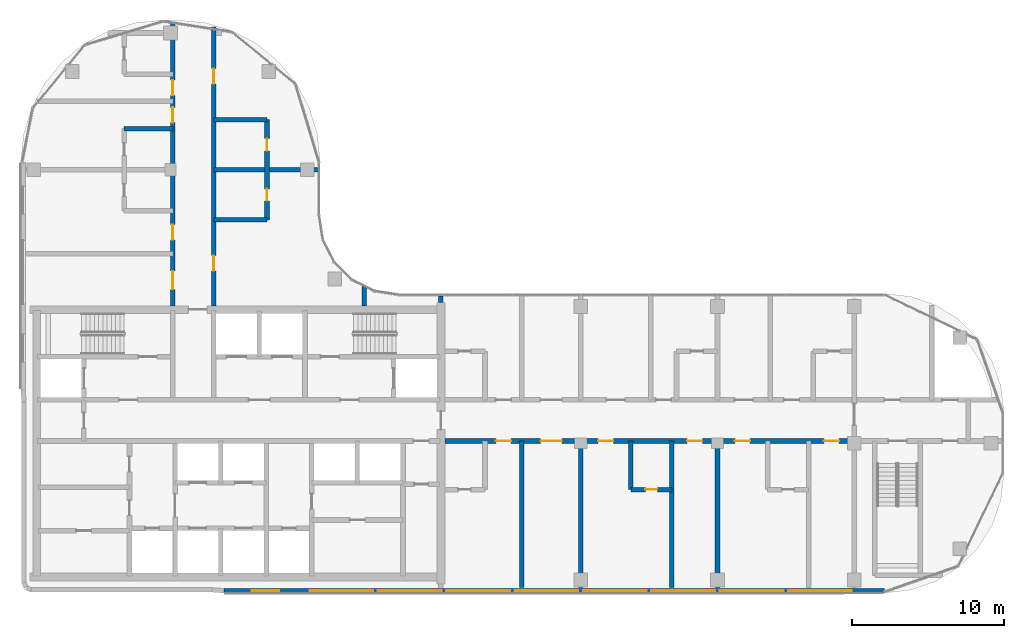
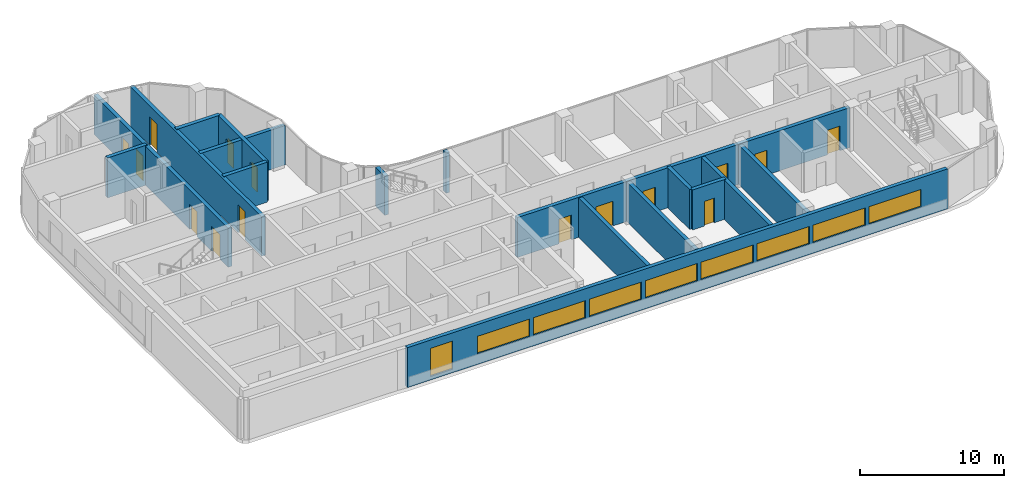
# One storey, part 14 of 20: 17 walls, 15 doors, 9 windows, 24 openings.
"""IFC4 building model written with IfcOpenShell, lengths in metres."""

from ifc_helpers import new_model, si_unit, direction, frame, frame_2d, origin, place, context, subcontext, project, spatial, rectangle, extrude, material, layer, layer_set, type_object, element, fill, save


model = new_model("IFC4")

# Units and contexts
model_context = context("Model", 3, precision=1e-05, world=origin(), true_north=direction((0.0, 1.0)))
body_context = subcontext(model_context, "Body", "Model", "MODEL_VIEW")
ifc_project = project(units=[si_unit("LENGTHUNIT", "METRE"), si_unit("AREAUNIT", "SQUARE_METRE"), si_unit("VOLUMEUNIT", "CUBIC_METRE"), si_unit("PLANEANGLEUNIT", "RADIAN"), si_unit("MASSUNIT", "GRAM", prefix="KILO")], contexts=[model_context])

# Site, building, storey
site_placement = place(None, origin())
site = spatial("IfcSite", under=ifc_project, at=site_placement, CompositionType="ELEMENT")
building_placement = place(site_placement, origin())
building = spatial("IfcBuilding", under=site, at=building_placement, Name="Ogive Portal Towers", CompositionType="ELEMENT")
storey_placement = place(building_placement, frame((0.0, 0.0, 210.60009765625)))
storey = spatial("IfcBuildingStorey", under=building, at=storey_placement, Name="L52", CompositionType="ELEMENT", Elevation=210.60009765625)

# Wall, openings, windows
ifc_material_1 = material(Name="Limestone cladding on lightweight block wall", Category="masonry")
ifc_layer_1 = layer(ifc_material_1, 0.300048828125)
ifc_layer_set_1 = layer_set([ifc_layer_1], Name="EXTERNAL WALL 300 STONE")
wall_type_1 = type_object("IfcWallType", Name="EXTERNAL WALL 300 STONE", PredefinedType="SOLIDWALL", material=ifc_layer_set_1)
wall_1_placement = place(storey_placement, frame((44.0107421875, 20.794921875, 0.0), z_axis=(0.0, 0.0, 1.0), x_axis=(1.0, 0.0, 0.0)))
wall_1 = element("IfcWall", 1, at=wall_1_placement, inside=storey, type_object=wall_type_1, Name="A:L52:f05:r0:wall", PredefinedType="SOLIDWALL", context=body_context, shape_type="SweptSolid", body=[
    extrude(rectangle(XDim=43.4755859375, YDim=0.300048828125, at=frame_2d((21.73779296875, 0.0))), origin(), (0.0, 0.0, 1.0), 3.39990234375),
])
opening_1_placement = place(wall_1_placement, frame((1.8447265625, 0.0, 0.300048828125)))
opening_1 = element("IfcOpeningElement", 2, at=opening_1_placement, cuts=wall_1, Name="Opening WN10", PredefinedType="OPENING", context=body_context, shape_type="SweptSolid", body=[
    extrude(rectangle(XDim=1.800048828125, YDim=2.39990234375, at=frame_2d((0.89990234375, 1.199951171875))), frame((0.0, 0.16015625, 0.0), z_axis=(0.0, -1.0, 0.0), x_axis=(1.0, 0.0, 0.0)), (0.0, 0.0, 1.0), 0.320068359375),
])
opening_2_placement = place(wall_1_placement, frame((5.639404296875, 0.0, 0.89990234375)))
opening_2 = element("IfcOpeningElement", 3, at=opening_2_placement, cuts=wall_1, Name="Opening WN11", PredefinedType="OPENING", context=body_context, shape_type="SweptSolid", body=[
    extrude(rectangle(XDim=4.199951171875, YDim=1.5, at=frame_2d((2.10009765625, 0.75))), frame((0.0, 0.16015625, 0.0), z_axis=(0.0, -1.0, 0.0), x_axis=(1.0, 0.0, 0.0)), (0.0, 0.0, 1.0), 0.320068359375),
])
opening_3_placement = place(wall_1_placement, frame((10.139404296875, 0.0, 0.89990234375)))
opening_3 = element("IfcOpeningElement", 4, at=opening_3_placement, cuts=wall_1, Name="Opening WN11", PredefinedType="OPENING", context=body_context, shape_type="SweptSolid", body=[
    extrude(rectangle(XDim=4.199951171875, YDim=1.5, at=frame_2d((2.10009765625, 0.75))), frame((0.0, 0.16015625, 0.0), z_axis=(0.0, -1.0, 0.0), x_axis=(1.0, 0.0, 0.0)), (0.0, 0.0, 1.0), 0.320068359375),
])
opening_4_placement = place(wall_1_placement, frame((14.639404296875, 0.0, 0.89990234375)))
opening_4 = element("IfcOpeningElement", 5, at=opening_4_placement, cuts=wall_1, Name="Opening WN11", PredefinedType="OPENING", context=body_context, shape_type="SweptSolid", body=[
    extrude(rectangle(XDim=4.199951171875, YDim=1.5, at=frame_2d((2.10009765625, 0.75))), frame((0.0, 0.16015625, 0.0), z_axis=(0.0, -1.0, 0.0), x_axis=(1.0, 0.0, 0.0)), (0.0, 0.0, 1.0), 0.320068359375),
])
opening_5_placement = place(wall_1_placement, frame((19.139404296875, 0.0, 0.89990234375)))
opening_5 = element("IfcOpeningElement", 6, at=opening_5_placement, cuts=wall_1, Name="Opening WN11", PredefinedType="OPENING", context=body_context, shape_type="SweptSolid", body=[
    extrude(rectangle(XDim=4.199951171875, YDim=1.5, at=frame_2d((2.10009765625, 0.75))), frame((0.0, 0.16015625, 0.0), z_axis=(0.0, -1.0, 0.0), x_axis=(1.0, 0.0, 0.0)), (0.0, 0.0, 1.0), 0.320068359375),
])
opening_6_placement = place(wall_1_placement, frame((23.639404296875, 0.0, 0.89990234375)))
opening_6 = element("IfcOpeningElement", 7, at=opening_6_placement, cuts=wall_1, Name="Opening WN11", PredefinedType="OPENING", context=body_context, shape_type="SweptSolid", body=[
    extrude(rectangle(XDim=4.199951171875, YDim=1.5, at=frame_2d((2.10009765625, 0.75))), frame((0.0, 0.16015625, 0.0), z_axis=(0.0, -1.0, 0.0), x_axis=(1.0, 0.0, 0.0)), (0.0, 0.0, 1.0), 0.320068359375),
])
opening_7_placement = place(wall_1_placement, frame((28.139404296875, 0.0, 0.89990234375)))
opening_7 = element("IfcOpeningElement", 8, at=opening_7_placement, cuts=wall_1, Name="Opening WN11", PredefinedType="OPENING", context=body_context, shape_type="SweptSolid", body=[
    extrude(rectangle(XDim=4.199951171875, YDim=1.5, at=frame_2d((2.10009765625, 0.75))), frame((0.0, 0.16015625, 0.0), z_axis=(0.0, -1.0, 0.0), x_axis=(1.0, 0.0, 0.0)), (0.0, 0.0, 1.0), 0.320068359375),
])
opening_8_placement = place(wall_1_placement, frame((32.639404296875, 0.0, 0.89990234375)))
opening_8 = element("IfcOpeningElement", 9, at=opening_8_placement, cuts=wall_1, Name="Opening WN11", PredefinedType="OPENING", context=body_context, shape_type="SweptSolid", body=[
    extrude(rectangle(XDim=4.199951171875, YDim=1.5, at=frame_2d((2.10009765625, 0.75))), frame((0.0, 0.16015625, 0.0), z_axis=(0.0, -1.0, 0.0), x_axis=(1.0, 0.0, 0.0)), (0.0, 0.0, 1.0), 0.320068359375),
])
opening_9_placement = place(wall_1_placement, frame((37.139404296875, 0.0, 0.89990234375)))
opening_9 = element("IfcOpeningElement", 10, at=opening_9_placement, cuts=wall_1, Name="Opening WN11", PredefinedType="OPENING", context=body_context, shape_type="SweptSolid", body=[
    extrude(rectangle(XDim=4.199951171875, YDim=1.5, at=frame_2d((2.10009765625, 0.75))), frame((0.0, 0.16015625, 0.0), z_axis=(0.0, -1.0, 0.0), x_axis=(1.0, 0.0, 0.0)), (0.0, 0.0, 1.0), 0.320068359375),
])
ifc_material_2 = material(Name="Glass, clear low-iron insulated glazing", Category="glass")
window_type_1 = type_object("IfcWindowType", Name="WINDOW RIBBON 4200x1500", PartitioningType="TRIPLE_PANEL_VERTICAL", PredefinedType="WINDOW", material=ifc_material_2)
window_1_placement = place(opening_2_placement, origin())
window_1 = element("IfcWindow", 11, at=window_1_placement, inside=storey, type_object=window_type_1, Name="A:L52:f05:r0:w1", OverallHeight=1.5, OverallWidth=4.199951171875, PartitioningType="SINGLE_PANEL", PredefinedType="WINDOW", context=body_context, shape_type="SweptSolid", body=[
    extrude(rectangle(XDim=4.199951171875, YDim=1.5, at=frame_2d((2.10009765625, 0.75))), frame((0.0, 0.030029296875, 0.0), z_axis=(0.0, -1.0, 0.0), x_axis=(1.0, 0.0, 0.0)), (0.0, 0.0, 1.0), 0.06005859375),
])
fill(opening_2, window_1)
window_2_placement = place(opening_3_placement, origin())
window_2 = element("IfcWindow", 12, at=window_2_placement, inside=storey, type_object=window_type_1, Name="A:L52:f05:r0:w2", OverallHeight=1.5, OverallWidth=4.199951171875, PartitioningType="SINGLE_PANEL", PredefinedType="WINDOW", context=body_context, shape_type="SweptSolid", body=[
    extrude(rectangle(XDim=4.199951171875, YDim=1.5, at=frame_2d((2.10009765625, 0.75))), frame((0.0, 0.030029296875, 0.0), z_axis=(0.0, -1.0, 0.0), x_axis=(1.0, 0.0, 0.0)), (0.0, 0.0, 1.0), 0.06005859375),
])
fill(opening_3, window_2)
window_3_placement = place(opening_4_placement, origin())
window_3 = element("IfcWindow", 13, at=window_3_placement, inside=storey, type_object=window_type_1, Name="A:L52:f05:r0:w3", OverallHeight=1.5, OverallWidth=4.199951171875, PartitioningType="SINGLE_PANEL", PredefinedType="WINDOW", context=body_context, shape_type="SweptSolid", body=[
    extrude(rectangle(XDim=4.199951171875, YDim=1.5, at=frame_2d((2.10009765625, 0.75))), frame((0.0, 0.030029296875, 0.0), z_axis=(0.0, -1.0, 0.0), x_axis=(1.0, 0.0, 0.0)), (0.0, 0.0, 1.0), 0.06005859375),
])
fill(opening_4, window_3)
window_4_placement = place(opening_5_placement, origin())
window_4 = element("IfcWindow", 14, at=window_4_placement, inside=storey, type_object=window_type_1, Name="A:L52:f05:r0:w4", OverallHeight=1.5, OverallWidth=4.199951171875, PartitioningType="SINGLE_PANEL", PredefinedType="WINDOW", context=body_context, shape_type="SweptSolid", body=[
    extrude(rectangle(XDim=4.199951171875, YDim=1.5, at=frame_2d((2.10009765625, 0.75))), frame((0.0, 0.030029296875, 0.0), z_axis=(0.0, -1.0, 0.0), x_axis=(1.0, 0.0, 0.0)), (0.0, 0.0, 1.0), 0.06005859375),
])
fill(opening_5, window_4)
window_5_placement = place(opening_6_placement, origin())
window_5 = element("IfcWindow", 15, at=window_5_placement, inside=storey, type_object=window_type_1, Name="A:L52:f05:r0:w5", OverallHeight=1.5, OverallWidth=4.199951171875, PartitioningType="SINGLE_PANEL", PredefinedType="WINDOW", context=body_context, shape_type="SweptSolid", body=[
    extrude(rectangle(XDim=4.199951171875, YDim=1.5, at=frame_2d((2.10009765625, 0.75))), frame((0.0, 0.030029296875, 0.0), z_axis=(0.0, -1.0, 0.0), x_axis=(1.0, 0.0, 0.0)), (0.0, 0.0, 1.0), 0.06005859375),
])
fill(opening_6, window_5)
window_6_placement = place(opening_7_placement, origin())
window_6 = element("IfcWindow", 16, at=window_6_placement, inside=storey, type_object=window_type_1, Name="A:L52:f05:r0:w6", OverallHeight=1.5, OverallWidth=4.199951171875, PartitioningType="SINGLE_PANEL", PredefinedType="WINDOW", context=body_context, shape_type="SweptSolid", body=[
    extrude(rectangle(XDim=4.199951171875, YDim=1.5, at=frame_2d((2.10009765625, 0.75))), frame((0.0, 0.030029296875, 0.0), z_axis=(0.0, -1.0, 0.0), x_axis=(1.0, 0.0, 0.0)), (0.0, 0.0, 1.0), 0.06005859375),
])
fill(opening_7, window_6)
window_7_placement = place(opening_8_placement, origin())
window_7 = element("IfcWindow", 17, at=window_7_placement, inside=storey, type_object=window_type_1, Name="A:L52:f05:r0:w7", OverallHeight=1.5, OverallWidth=4.199951171875, PartitioningType="SINGLE_PANEL", PredefinedType="WINDOW", context=body_context, shape_type="SweptSolid", body=[
    extrude(rectangle(XDim=4.199951171875, YDim=1.5, at=frame_2d((2.10009765625, 0.75))), frame((0.0, 0.030029296875, 0.0), z_axis=(0.0, -1.0, 0.0), x_axis=(1.0, 0.0, 0.0)), (0.0, 0.0, 1.0), 0.06005859375),
])
fill(opening_8, window_7)
window_8_placement = place(opening_9_placement, origin())
window_8 = element("IfcWindow", 18, at=window_8_placement, inside=storey, type_object=window_type_1, Name="A:L52:f05:r0:w8", OverallHeight=1.5, OverallWidth=4.199951171875, PartitioningType="SINGLE_PANEL", PredefinedType="WINDOW", context=body_context, shape_type="SweptSolid", body=[
    extrude(rectangle(XDim=4.199951171875, YDim=1.5, at=frame_2d((2.10009765625, 0.75))), frame((0.0, 0.030029296875, 0.0), z_axis=(0.0, -1.0, 0.0), x_axis=(1.0, 0.0, 0.0)), (0.0, 0.0, 1.0), 0.06005859375),
])
fill(opening_9, window_8)
window_type_2 = type_object("IfcWindowType", Name="WINDOW SUITE CORNER 1800x2400", PartitioningType="DOUBLE_PANEL_VERTICAL", PredefinedType="WINDOW", material=ifc_material_2)
window_9_placement = place(opening_1_placement, origin())
window_9 = element("IfcWindow", 19, at=window_9_placement, inside=storey, type_object=window_type_2, Name="A:L52:f05:r0:w0", OverallHeight=2.39990234375, OverallWidth=1.800048828125, PartitioningType="SINGLE_PANEL", PredefinedType="WINDOW", context=body_context, shape_type="SweptSolid", body=[
    extrude(rectangle(XDim=1.800048828125, YDim=2.39990234375, at=frame_2d((0.89990234375, 1.199951171875))), frame((0.0, 0.030029296875, 0.0), z_axis=(0.0, -1.0, 0.0), x_axis=(1.0, 0.0, 0.0)), (0.0, 0.0, 1.0), 0.06005859375),
])
fill(opening_1, window_9)

# Wall, openings, doors
ifc_material_3 = material(Name="Gypsum board partition on steel studs", Category="steel")
ifc_layer_2 = layer(ifc_material_3, 0.300048828125)
ifc_layer_set_2 = layer_set([ifc_layer_2], Name="WT-PART-300-EI 120")
wall_type_2 = type_object("IfcWallType", Name="WT-PART-300-EI 120", PredefinedType="PARTITIONING", material=ifc_layer_set_2)
wall_2_placement = place(storey_placement, frame((58.550048828125, 30.64990234375, 0.0), z_axis=(0.0, 0.0, 1.0), x_axis=(1.0, 0.0, 0.0)))
wall_2 = element("IfcWall", 20, at=wall_2_placement, inside=storey, type_object=wall_type_2, Name="Wall L52:w005", PredefinedType="PARTITIONING", context=body_context, shape_type="SweptSolid", body=[
    extrude(rectangle(XDim=26.780029296875, YDim=0.300048828125, at=frame_2d((13.39013671875, 0.0))), origin(), (0.0, 0.0, 1.0), 3.39990234375),
])
opening_10_placement = place(wall_2_placement, frame((3.364990234375, 0.0, 0.0)))
opening_10 = element("IfcOpeningElement", 21, at=opening_10_placement, cuts=wall_2, Name="Opening D23-031", PredefinedType="OPENING", context=body_context, shape_type="SweptSolid", body=[
    extrude(rectangle(XDim=1.0, YDim=2.10009765625, at=frame_2d((0.5, 1.050048828125))), frame((0.0, 0.16015625, 0.0), z_axis=(0.0, -1.0, 0.0), x_axis=(1.0, 0.0, 0.0)), (0.0, 0.0, 1.0), 0.320068359375),
])
opening_11_placement = place(wall_2_placement, frame((6.31494140625, 0.0, 0.0)))
opening_11 = element("IfcOpeningElement", 22, at=opening_11_placement, cuts=wall_2, Name="Opening D23-032", PredefinedType="OPENING", context=body_context, shape_type="SweptSolid", body=[
    extrude(rectangle(XDim=1.39990234375, YDim=2.10009765625, at=frame_2d((0.699951171875, 1.050048828125))), frame((0.0, 0.16015625, 0.0), z_axis=(0.0, -1.0, 0.0), x_axis=(1.0, 0.0, 0.0)), (0.0, 0.0, 1.0), 0.320068359375),
])
opening_12_placement = place(wall_2_placement, frame((10.10009765625, 0.0, 0.0)))
opening_12 = element("IfcOpeningElement", 23, at=opening_12_placement, cuts=wall_2, Name="Opening D23-037", PredefinedType="OPENING", context=body_context, shape_type="SweptSolid", body=[
    extrude(rectangle(XDim=1.0, YDim=2.10009765625, at=frame_2d((0.5, 1.050048828125))), frame((0.0, 0.16015625, 0.0), z_axis=(0.0, -1.0, 0.0), x_axis=(1.0, 0.0, 0.0)), (0.0, 0.0, 1.0), 0.320068359375),
])
opening_13_placement = place(wall_2_placement, frame((15.949951171875, 0.0, 0.0)))
opening_13 = element("IfcOpeningElement", 24, at=opening_13_placement, cuts=wall_2, Name="Opening D23-038", PredefinedType="OPENING", context=body_context, shape_type="SweptSolid", body=[
    extrude(rectangle(XDim=1.0, YDim=2.10009765625, at=frame_2d((0.5, 1.050048828125))), frame((0.0, 0.16015625, 0.0), z_axis=(0.0, -1.0, 0.0), x_axis=(1.0, 0.0, 0.0)), (0.0, 0.0, 1.0), 0.320068359375),
])
opening_14_placement = place(wall_2_placement, frame((19.10009765625, 0.0, 0.0)))
opening_14 = element("IfcOpeningElement", 25, at=opening_14_placement, cuts=wall_2, Name="Opening D23-043", PredefinedType="OPENING", context=body_context, shape_type="SweptSolid", body=[
    extrude(rectangle(XDim=1.0, YDim=2.10009765625, at=frame_2d((0.5, 1.050048828125))), frame((0.0, 0.16015625, 0.0), z_axis=(0.0, -1.0, 0.0), x_axis=(1.0, 0.0, 0.0)), (0.0, 0.0, 1.0), 0.320068359375),
])
opening_15_placement = place(wall_2_placement, frame((24.949951171875, 0.0, 0.0)))
opening_15 = element("IfcOpeningElement", 26, at=opening_15_placement, cuts=wall_2, Name="Opening D23-044", PredefinedType="OPENING", context=body_context, shape_type="SweptSolid", body=[
    extrude(rectangle(XDim=1.0, YDim=2.10009765625, at=frame_2d((0.5, 1.050048828125))), frame((0.0, 0.16015625, 0.0), z_axis=(0.0, -1.0, 0.0), x_axis=(1.0, 0.0, 0.0)), (0.0, 0.0, 1.0), 0.320068359375),
])
ifc_material_4 = material(Name="Steel fire door", Category="steel")
door_type_1 = type_object("IfcDoorType", Name="DT-ENTRY-1000x2100-FD90S", OperationType="SINGLE_SWING_LEFT", PredefinedType="DOOR", material=ifc_material_4)
door_1_placement = place(opening_10_placement, origin())
door_1 = element("IfcDoor", 27, at=door_1_placement, inside=storey, type_object=door_type_1, Name="Door D23-031", OperationType="SINGLE_SWING_LEFT", OverallHeight=2.10009765625, OverallWidth=1.0, PredefinedType="DOOR", context=body_context, shape_type="SweptSolid", body=[
    extrude(rectangle(XDim=1.0, YDim=2.10009765625, at=frame_2d((0.5, 1.050048828125))), frame((0.0, 0.02490234375, 0.0), z_axis=(0.0, -1.0, 0.0), x_axis=(1.0, 0.0, 0.0)), (0.0, 0.0, 1.0), 0.050048828125),
])
fill(opening_10, door_1)
door_2_placement = place(opening_12_placement, origin())
door_2 = element("IfcDoor", 28, at=door_2_placement, inside=storey, type_object=door_type_1, Name="Door D23-037", OperationType="SINGLE_SWING_LEFT", OverallHeight=2.10009765625, OverallWidth=1.0, PredefinedType="DOOR", context=body_context, shape_type="SweptSolid", body=[
    extrude(rectangle(XDim=1.0, YDim=2.10009765625, at=frame_2d((0.5, 1.050048828125))), frame((0.0, 0.02490234375, 0.0), z_axis=(0.0, -1.0, 0.0), x_axis=(1.0, 0.0, 0.0)), (0.0, 0.0, 1.0), 0.050048828125),
])
fill(opening_12, door_2)
door_3_placement = place(opening_13_placement, origin())
door_3 = element("IfcDoor", 29, at=door_3_placement, inside=storey, type_object=door_type_1, Name="Door D23-038", OperationType="SINGLE_SWING_RIGHT", OverallHeight=2.10009765625, OverallWidth=1.0, PredefinedType="DOOR", context=body_context, shape_type="SweptSolid", body=[
    extrude(rectangle(XDim=1.0, YDim=2.10009765625, at=frame_2d((0.5, 1.050048828125))), frame((0.0, 0.02490234375, 0.0), z_axis=(0.0, -1.0, 0.0), x_axis=(1.0, 0.0, 0.0)), (0.0, 0.0, 1.0), 0.050048828125),
])
fill(opening_13, door_3)
door_4_placement = place(opening_14_placement, origin())
door_4 = element("IfcDoor", 30, at=door_4_placement, inside=storey, type_object=door_type_1, Name="Door D23-043", OperationType="SINGLE_SWING_LEFT", OverallHeight=2.10009765625, OverallWidth=1.0, PredefinedType="DOOR", context=body_context, shape_type="SweptSolid", body=[
    extrude(rectangle(XDim=1.0, YDim=2.10009765625, at=frame_2d((0.5, 1.050048828125))), frame((0.0, 0.02490234375, 0.0), z_axis=(0.0, -1.0, 0.0), x_axis=(1.0, 0.0, 0.0)), (0.0, 0.0, 1.0), 0.050048828125),
])
fill(opening_14, door_4)
door_5_placement = place(opening_15_placement, origin())
door_5 = element("IfcDoor", 31, at=door_5_placement, inside=storey, type_object=door_type_1, Name="Door D23-044", OperationType="SINGLE_SWING_RIGHT", OverallHeight=2.10009765625, OverallWidth=1.0, PredefinedType="DOOR", context=body_context, shape_type="SweptSolid", body=[
    extrude(rectangle(XDim=1.0, YDim=2.10009765625, at=frame_2d((0.5, 1.050048828125))), frame((0.0, 0.02490234375, 0.0), z_axis=(0.0, -1.0, 0.0), x_axis=(1.0, 0.0, 0.0)), (0.0, 0.0, 1.0), 0.050048828125),
])
fill(opening_15, door_5)
door_type_2 = type_object("IfcDoorType", Name="DT-ENTRY-1400x2100-FD90S", OperationType="SINGLE_SWING_LEFT", PredefinedType="DOOR", material=ifc_material_4)
door_6_placement = place(opening_11_placement, origin())
door_6 = element("IfcDoor", 32, at=door_6_placement, inside=storey, type_object=door_type_2, Name="Door D23-032", OperationType="SINGLE_SWING_RIGHT", OverallHeight=2.10009765625, OverallWidth=1.39990234375, PredefinedType="DOOR", context=body_context, shape_type="SweptSolid", body=[
    extrude(rectangle(XDim=1.39990234375, YDim=2.10009765625, at=frame_2d((0.699951171875, 1.050048828125))), frame((0.0, 0.02490234375, 0.0), z_axis=(0.0, -1.0, 0.0), x_axis=(1.0, 0.0, 0.0)), (0.0, 0.0, 1.0), 0.050048828125),
])
fill(opening_11, door_6)

# Wall
wall_3_placement = place(storey_placement, frame((58.300048828125, 39.75, 0.0), z_axis=(0.0, 0.0, 1.0), x_axis=(0.0, 1.0, 0.0)))
element("IfcWall", 33, at=wall_3_placement, inside=storey, type_object=wall_type_2, Name="Wall L52:wc02", PredefinedType="PARTITIONING", context=body_context, shape_type="SweptSolid", body=[
    extrude(rectangle(XDim=0.43505859375, YDim=0.300048828125, at=frame_2d((0.217529296875, 0.0))), origin(), (0.0, 0.0, 1.0), 3.39990234375),
])

# Wall, opening, door
ifc_layer_3 = layer(ifc_material_3, 0.300048828125)
ifc_layer_set_3 = layer_set([ifc_layer_3], Name="WT-PART-300-EI 60")
wall_type_3 = type_object("IfcWallType", Name="WT-PART-300-EI 60", PredefinedType="PARTITIONING", material=ifc_layer_set_3)
wall_4_placement = place(storey_placement, frame((70.800048828125, 27.449951171875, 0.0), z_axis=(0.0, 0.0, 1.0), x_axis=(1.0, 0.0, 0.0)))
wall_4 = element("IfcWall", 34, at=wall_4_placement, inside=storey, type_object=wall_type_3, Name="Wall L52:w003", PredefinedType="PARTITIONING", context=body_context, shape_type="SweptSolid", body=[
    extrude(rectangle(XDim=2.699951171875, YDim=0.300048828125, at=frame_2d((1.35009765625, 0.0))), origin(), (0.0, 0.0, 1.0), 3.39990234375),
])
opening_16_placement = place(wall_4_placement, frame((0.949951171875, 0.0, 0.0)))
opening_16 = element("IfcOpeningElement", 35, at=opening_16_placement, cuts=wall_4, Name="Opening D23-036", PredefinedType="OPENING", context=body_context, shape_type="SweptSolid", body=[
    extrude(rectangle(XDim=0.800048828125, YDim=2.10009765625, at=frame_2d((0.39990234375, 1.050048828125))), frame((0.0, 0.16015625, 0.0), z_axis=(0.0, -1.0, 0.0), x_axis=(1.0, 0.0, 0.0)), (0.0, 0.0, 1.0), 0.320068359375),
])
door_type_3 = type_object("IfcDoorType", Name="DT-BATH-800x2100-FD60S", OperationType="SINGLE_SWING_LEFT", PredefinedType="DOOR", material=ifc_material_4)
door_7_placement = place(opening_16_placement, origin())
door_7 = element("IfcDoor", 36, at=door_7_placement, inside=storey, type_object=door_type_3, Name="Door D23-036", OperationType="SINGLE_SWING_LEFT", OverallHeight=2.10009765625, OverallWidth=0.800048828125, PredefinedType="DOOR", context=body_context, shape_type="SweptSolid", body=[
    extrude(rectangle(XDim=0.800048828125, YDim=2.10009765625, at=frame_2d((0.39990234375, 1.050048828125))), frame((0.0, 0.02490234375, 0.0), z_axis=(0.0, -1.0, 0.0), x_axis=(1.0, 0.0, 0.0)), (0.0, 0.0, 1.0), 0.050048828125),
])
fill(opening_16, door_7)

# Walls
wall_5_placement = place(storey_placement, frame((43.35009765625, 45.199951171875, 0.0), z_axis=(0.0, 0.0, 1.0), x_axis=(1.0, 0.0, 0.0)))
element("IfcWall", 37, at=wall_5_placement, inside=storey, type_object=wall_type_3, Name="Wall L52:w013", PredefinedType="PARTITIONING", context=body_context, shape_type="SweptSolid", body=[
    extrude(rectangle(XDim=3.5, YDim=0.300048828125, at=frame_2d((1.75, 0.0))), origin(), (0.0, 0.0, 1.0), 3.39990234375),
])
wall_6_placement = place(storey_placement, frame((43.35009765625, 48.5, 0.0), z_axis=(0.0, 0.0, 1.0), x_axis=(1.0, 0.0, 0.0)))
element("IfcWall", 38, at=wall_6_placement, inside=storey, type_object=wall_type_3, Name="Wall L52:w016", PredefinedType="PARTITIONING", context=body_context, shape_type="SweptSolid", body=[
    extrude(rectangle(XDim=6.8349609375, YDim=0.300048828125, at=frame_2d((3.41748046875, 0.0))), origin(), (0.0, 0.0, 1.0), 3.349853515625),
])
wall_7_placement = place(storey_placement, frame((37.449951171875, 51.199951171875, 0.0), z_axis=(0.0, 0.0, 1.0), x_axis=(1.0, 0.0, 0.0)))
element("IfcWall", 39, at=wall_7_placement, inside=storey, type_object=wall_type_3, Name="Wall L52:w017", PredefinedType="PARTITIONING", context=body_context, shape_type="SweptSolid", body=[
    extrude(rectangle(XDim=3.199951171875, YDim=0.300048828125, at=frame_2d((1.60009765625, 0.0))), origin(), (0.0, 0.0, 1.0), 3.39990234375),
])
wall_8_placement = place(storey_placement, frame((43.35009765625, 51.800048828125, 0.0), z_axis=(0.0, 0.0, 1.0), x_axis=(1.0, 0.0, 0.0)))
element("IfcWall", 40, at=wall_8_placement, inside=storey, type_object=wall_type_3, Name="Wall L52:w018", PredefinedType="PARTITIONING", context=body_context, shape_type="SweptSolid", body=[
    extrude(rectangle(XDim=3.5, YDim=0.300048828125, at=frame_2d((1.75, 0.0))), origin(), (0.0, 0.0, 1.0), 3.39990234375),
])

# Wall, openings, doors
wall_9_placement = place(storey_placement, frame((40.64990234375, 39.550048828125, 0.0), z_axis=(0.0, 0.0, 1.0), x_axis=(0.0, 1.0, 0.0)))
wall_9 = element("IfcWall", 41, at=wall_9_placement, inside=storey, type_object=wall_type_3, Name="Wall L52:w025", PredefinedType="PARTITIONING", context=body_context, shape_type="SweptSolid", body=[
    extrude(rectangle(XDim=18.695068359375, YDim=0.300048828125, at=frame_2d((9.34765625, 0.0))), origin(), (0.0, 0.0, 1.0), 3.349853515625),
])
opening_17_placement = place(wall_9_placement, frame((1.0849609375, 0.0, 0.0)))
opening_17 = element("IfcOpeningElement", 42, at=opening_17_placement, cuts=wall_9, Name="Opening D23-047", PredefinedType="OPENING", context=body_context, shape_type="SweptSolid", body=[
    extrude(rectangle(XDim=1.199951171875, YDim=2.10009765625, at=frame_2d((0.60009765625, 1.050048828125))), frame((0.0, 0.16015625, 0.0), z_axis=(0.0, -1.0, 0.0), x_axis=(1.0, 0.0, 0.0)), (0.0, 0.0, 1.0), 0.320068359375),
])
opening_18_placement = place(wall_9_placement, frame((4.3349609375, 0.0, 0.0)))
opening_18 = element("IfcOpeningElement", 43, at=opening_18_placement, cuts=wall_9, Name="Opening D23-049", PredefinedType="OPENING", context=body_context, shape_type="SweptSolid", body=[
    extrude(rectangle(XDim=1.0, YDim=2.10009765625, at=frame_2d((0.5, 1.050048828125))), frame((0.0, 0.16015625, 0.0), z_axis=(0.0, -1.0, 0.0), x_axis=(1.0, 0.0, 0.0)), (0.0, 0.0, 1.0), 0.320068359375),
])
opening_19_placement = place(wall_9_placement, frame((12.050048828125, 0.0, 0.0)))
opening_19 = element("IfcOpeningElement", 44, at=opening_19_placement, cuts=wall_9, Name="Opening D23-053", PredefinedType="OPENING", context=body_context, shape_type="SweptSolid", body=[
    extrude(rectangle(XDim=1.0, YDim=2.10009765625, at=frame_2d((0.5, 1.050048828125))), frame((0.0, 0.16015625, 0.0), z_axis=(0.0, -1.0, 0.0), x_axis=(1.0, 0.0, 0.0)), (0.0, 0.0, 1.0), 0.320068359375),
])
opening_20_placement = place(wall_9_placement, frame((13.85009765625, 0.0, 0.0)))
opening_20 = element("IfcOpeningElement", 45, at=opening_20_placement, cuts=wall_9, Name="Opening D23-055", PredefinedType="OPENING", context=body_context, shape_type="SweptSolid", body=[
    extrude(rectangle(XDim=1.0, YDim=2.10009765625, at=frame_2d((0.5, 1.050048828125))), frame((0.0, 0.16015625, 0.0), z_axis=(0.0, -1.0, 0.0), x_axis=(1.0, 0.0, 0.0)), (0.0, 0.0, 1.0), 0.320068359375),
])
door_type_4 = type_object("IfcDoorType", Name="DT-ENTRY-1000x2100-FD60S", OperationType="SINGLE_SWING_LEFT", PredefinedType="DOOR", material=ifc_material_4)
door_8_placement = place(opening_18_placement, origin())
door_8 = element("IfcDoor", 46, at=door_8_placement, inside=storey, type_object=door_type_4, Name="Door D23-049", OperationType="SINGLE_SWING_LEFT", OverallHeight=2.10009765625, OverallWidth=1.0, PredefinedType="DOOR", context=body_context, shape_type="SweptSolid", body=[
    extrude(rectangle(XDim=1.0, YDim=2.10009765625, at=frame_2d((0.5, 1.050048828125))), frame((0.0, 0.02490234375, 0.0), z_axis=(0.0, -1.0, 0.0), x_axis=(1.0, 0.0, 0.0)), (0.0, 0.0, 1.0), 0.050048828125),
])
fill(opening_18, door_8)
door_9_placement = place(opening_19_placement, origin())
door_9 = element("IfcDoor", 47, at=door_9_placement, inside=storey, type_object=door_type_4, Name="Door D23-053", OperationType="SINGLE_SWING_LEFT", OverallHeight=2.10009765625, OverallWidth=1.0, PredefinedType="DOOR", context=body_context, shape_type="SweptSolid", body=[
    extrude(rectangle(XDim=1.0, YDim=2.10009765625, at=frame_2d((0.5, 1.050048828125))), frame((0.0, 0.02490234375, 0.0), z_axis=(0.0, -1.0, 0.0), x_axis=(1.0, 0.0, 0.0)), (0.0, 0.0, 1.0), 0.050048828125),
])
fill(opening_19, door_9)
door_10_placement = place(opening_20_placement, origin())
door_10 = element("IfcDoor", 48, at=door_10_placement, inside=storey, type_object=door_type_4, Name="Door D23-055", OperationType="SINGLE_SWING_LEFT", OverallHeight=2.10009765625, OverallWidth=1.0, PredefinedType="DOOR", context=body_context, shape_type="SweptSolid", body=[
    extrude(rectangle(XDim=1.0, YDim=2.10009765625, at=frame_2d((0.5, 1.050048828125))), frame((0.0, 0.02490234375, 0.0), z_axis=(0.0, -1.0, 0.0), x_axis=(1.0, 0.0, 0.0)), (0.0, 0.0, 1.0), 0.050048828125),
])
fill(opening_20, door_10)
door_type_5 = type_object("IfcDoorType", Name="DT-ENTRY-1200x2100-FD60S", OperationType="SINGLE_SWING_LEFT", PredefinedType="DOOR", material=ifc_material_4)
door_11_placement = place(opening_17_placement, origin())
door_11 = element("IfcDoor", 49, at=door_11_placement, inside=storey, type_object=door_type_5, Name="Door D23-047", OperationType="SINGLE_SWING_RIGHT", OverallHeight=2.10009765625, OverallWidth=1.199951171875, PredefinedType="DOOR", context=body_context, shape_type="SweptSolid", body=[
    extrude(rectangle(XDim=1.199951171875, YDim=2.10009765625, at=frame_2d((0.60009765625, 1.050048828125))), frame((0.0, 0.02490234375, 0.0), z_axis=(0.0, -1.0, 0.0), x_axis=(1.0, 0.0, 0.0)), (0.0, 0.0, 1.0), 0.050048828125),
])
fill(opening_17, door_11)

wall_10_placement = place(storey_placement, frame((43.35009765625, 39.550048828125, 0.0), z_axis=(0.0, 0.0, 1.0), x_axis=(0.0, 1.0, 0.0)))
wall_10 = element("IfcWall", 50, at=wall_10_placement, inside=storey, type_object=wall_type_3, Name="Wall L52:w026", PredefinedType="PARTITIONING", context=body_context, shape_type="SweptSolid", body=[
    extrude(rectangle(XDim=18.35205078125, YDim=0.300048828125, at=frame_2d((9.176025390625, 0.0))), origin(), (0.0, 0.0, 1.0), 3.349853515625),
])
opening_21_placement = place(wall_10_placement, frame((2.300048828125, 0.0, 0.0)))
opening_21 = element("IfcOpeningElement", 51, at=opening_21_placement, cuts=wall_10, Name="Opening D23-046", PredefinedType="OPENING", context=body_context, shape_type="SweptSolid", body=[
    extrude(rectangle(XDim=1.0, YDim=2.39990234375, at=frame_2d((0.5, 1.199951171875))), frame((0.0, 0.16015625, 0.0), z_axis=(0.0, -1.0, 0.0), x_axis=(1.0, 0.0, 0.0)), (0.0, 0.0, 1.0), 0.320068359375),
])
opening_22_placement = place(wall_10_placement, frame((14.60009765625, 0.0, 0.0)))
opening_22 = element("IfcOpeningElement", 52, at=opening_22_placement, cuts=wall_10, Name="Opening D23-051", PredefinedType="OPENING", context=body_context, shape_type="SweptSolid", body=[
    extrude(rectangle(XDim=1.0, YDim=2.39990234375, at=frame_2d((0.5, 1.199951171875))), frame((0.0, 0.16015625, 0.0), z_axis=(0.0, -1.0, 0.0), x_axis=(1.0, 0.0, 0.0)), (0.0, 0.0, 1.0), 0.320068359375),
])
door_type_6 = type_object("IfcDoorType", Name="DT-ENTRY-1000x2400-FD60S", OperationType="SINGLE_SWING_LEFT", PredefinedType="DOOR", material=ifc_material_4)
door_12_placement = place(opening_21_placement, origin())
door_12 = element("IfcDoor", 53, at=door_12_placement, inside=storey, type_object=door_type_6, Name="Door D23-046", OperationType="SINGLE_SWING_LEFT", OverallHeight=2.39990234375, OverallWidth=1.0, PredefinedType="DOOR", context=body_context, shape_type="SweptSolid", body=[
    extrude(rectangle(XDim=1.0, YDim=2.39990234375, at=frame_2d((0.5, 1.199951171875))), frame((0.0, 0.02490234375, 0.0), z_axis=(0.0, -1.0, 0.0), x_axis=(1.0, 0.0, 0.0)), (0.0, 0.0, 1.0), 0.050048828125),
])
fill(opening_21, door_12)
door_13_placement = place(opening_22_placement, origin())
door_13 = element("IfcDoor", 54, at=door_13_placement, inside=storey, type_object=door_type_6, Name="Door D23-051", OperationType="SINGLE_SWING_RIGHT", OverallHeight=2.39990234375, OverallWidth=1.0, PredefinedType="DOOR", context=body_context, shape_type="SweptSolid", body=[
    extrude(rectangle(XDim=1.0, YDim=2.39990234375, at=frame_2d((0.5, 1.199951171875))), frame((0.0, 0.02490234375, 0.0), z_axis=(0.0, -1.0, 0.0), x_axis=(1.0, 0.0, 0.0)), (0.0, 0.0, 1.0), 0.050048828125),
])
fill(opening_22, door_13)

wall_11_placement = place(storey_placement, frame((46.85009765625, 45.199951171875, 0.0), z_axis=(0.0, 0.0, 1.0), x_axis=(0.0, 1.0, 0.0)))
wall_11 = element("IfcWall", 55, at=wall_11_placement, inside=storey, type_object=wall_type_3, Name="Wall L52:w027", PredefinedType="PARTITIONING", context=body_context, shape_type="SweptSolid", body=[
    extrude(rectangle(XDim=6.60009765625, YDim=0.300048828125, at=frame_2d((3.300048828125, 0.0))), origin(), (0.0, 0.0, 1.0), 3.39990234375),
])
opening_23_placement = place(wall_11_placement, frame((1.25, 0.0, 0.0)))
opening_23 = element("IfcOpeningElement", 56, at=opening_23_placement, cuts=wall_11, Name="Opening D23-045", PredefinedType="OPENING", context=body_context, shape_type="SweptSolid", body=[
    extrude(rectangle(XDim=0.800048828125, YDim=2.10009765625, at=frame_2d((0.39990234375, 1.050048828125))), frame((0.0, 0.16015625, 0.0), z_axis=(0.0, -1.0, 0.0), x_axis=(1.0, 0.0, 0.0)), (0.0, 0.0, 1.0), 0.320068359375),
])
opening_24_placement = place(wall_11_placement, frame((4.550048828125, 0.0, 0.0)))
opening_24 = element("IfcOpeningElement", 57, at=opening_24_placement, cuts=wall_11, Name="Opening D23-050", PredefinedType="OPENING", context=body_context, shape_type="SweptSolid", body=[
    extrude(rectangle(XDim=0.800048828125, YDim=2.10009765625, at=frame_2d((0.39990234375, 1.050048828125))), frame((0.0, 0.16015625, 0.0), z_axis=(0.0, -1.0, 0.0), x_axis=(1.0, 0.0, 0.0)), (0.0, 0.0, 1.0), 0.320068359375),
])
door_14_placement = place(opening_23_placement, origin())
door_14 = element("IfcDoor", 58, at=door_14_placement, inside=storey, type_object=door_type_3, Name="Door D23-045", OperationType="SINGLE_SWING_LEFT", OverallHeight=2.10009765625, OverallWidth=0.800048828125, PredefinedType="DOOR", context=body_context, shape_type="SweptSolid", body=[
    extrude(rectangle(XDim=0.800048828125, YDim=2.10009765625, at=frame_2d((0.39990234375, 1.050048828125))), frame((0.0, 0.02490234375, 0.0), z_axis=(0.0, -1.0, 0.0), x_axis=(1.0, 0.0, 0.0)), (0.0, 0.0, 1.0), 0.050048828125),
])
fill(opening_23, door_14)
door_15_placement = place(opening_24_placement, origin())
door_15 = element("IfcDoor", 59, at=door_15_placement, inside=storey, type_object=door_type_3, Name="Door D23-050", OperationType="SINGLE_SWING_LEFT", OverallHeight=2.10009765625, OverallWidth=0.800048828125, PredefinedType="DOOR", context=body_context, shape_type="SweptSolid", body=[
    extrude(rectangle(XDim=0.800048828125, YDim=2.10009765625, at=frame_2d((0.39990234375, 1.050048828125))), frame((0.0, 0.02490234375, 0.0), z_axis=(0.0, -1.0, 0.0), x_axis=(1.0, 0.0, 0.0)), (0.0, 0.0, 1.0), 0.050048828125),
])
fill(opening_24, door_15)

# Walls
wall_12_placement = place(storey_placement, frame((53.25, 39.550048828125, 0.0), z_axis=(0.0, 0.0, 1.0), x_axis=(0.0, 1.0, 0.0)))
element("IfcWall", 60, at=wall_12_placement, inside=storey, type_object=wall_type_3, Name="Wall L52:w028", PredefinedType="PARTITIONING", context=body_context, shape_type="SweptSolid", body=[
    extrude(rectangle(XDim=1.27099609375, YDim=0.300048828125, at=frame_2d((0.635498046875, 0.0))), origin(), (0.0, 0.0, 1.0), 3.349853515625),
])
for number, where, z_axis, x_axis, name in (
    (61, (63.6298828125, 20.9951171875, 0.0), (0.0, 0.0, 1.0), (0.0, 1.0, 0.0), "Wall L52:w031"),
    (62, (67.5, 20.9951171875, 0.0), (0.0, 0.0, 1.0), (0.0, 1.0, 0.0), "Wall L52:w033"),
):
    element("IfcWall", number, at=place(storey_placement, frame(where, z_axis=z_axis, x_axis=x_axis)), inside=storey, type_object=wall_type_3, Name=name, PredefinedType="PARTITIONING", context=body_context, shape_type="SweptSolid", body=[
        extrude(rectangle(XDim=9.65478515625, YDim=0.300048828125, at=frame_2d((4.827392578125, 0.0))), origin(), (0.0, 0.0, 1.0), 3.349853515625),
    ])
wall_13_placement = place(storey_placement, frame((70.800048828125, 27.449951171875, 0.0), z_axis=(0.0, 0.0, 1.0), x_axis=(0.0, 1.0, 0.0)))
element("IfcWall", 63, at=wall_13_placement, inside=storey, type_object=wall_type_3, Name="Wall L52:w035", PredefinedType="PARTITIONING", context=body_context, shape_type="SweptSolid", body=[
    extrude(rectangle(XDim=3.199951171875, YDim=0.300048828125, at=frame_2d((1.60009765625, 0.0))), origin(), (0.0, 0.0, 1.0), 3.39990234375),
])
for number, where, z_axis, x_axis, name in (
    (64, (73.5, 20.9951171875, 0.0), (0.0, 0.0, 1.0), (0.0, 1.0, 0.0), "Wall L52:w037"),
    (65, (76.5, 20.9951171875, 0.0), (0.0, 0.0, 1.0), (0.0, 1.0, 0.0), "Wall L52:w039"),
):
    element("IfcWall", number, at=place(storey_placement, frame(where, z_axis=z_axis, x_axis=x_axis)), inside=storey, type_object=wall_type_3, Name=name, PredefinedType="PARTITIONING", context=body_context, shape_type="SweptSolid", body=[
        extrude(rectangle(XDim=9.65478515625, YDim=0.300048828125, at=frame_2d((4.827392578125, 0.0))), origin(), (0.0, 0.0, 1.0), 3.349853515625),
    ])

save(model, "model.ifc")
